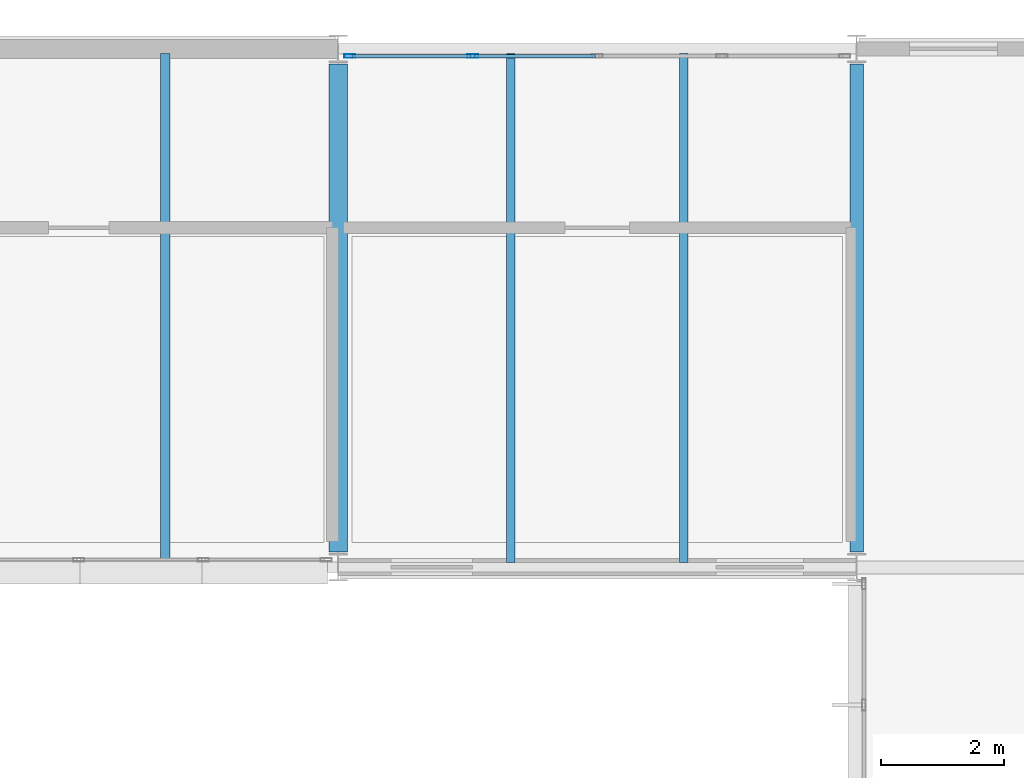
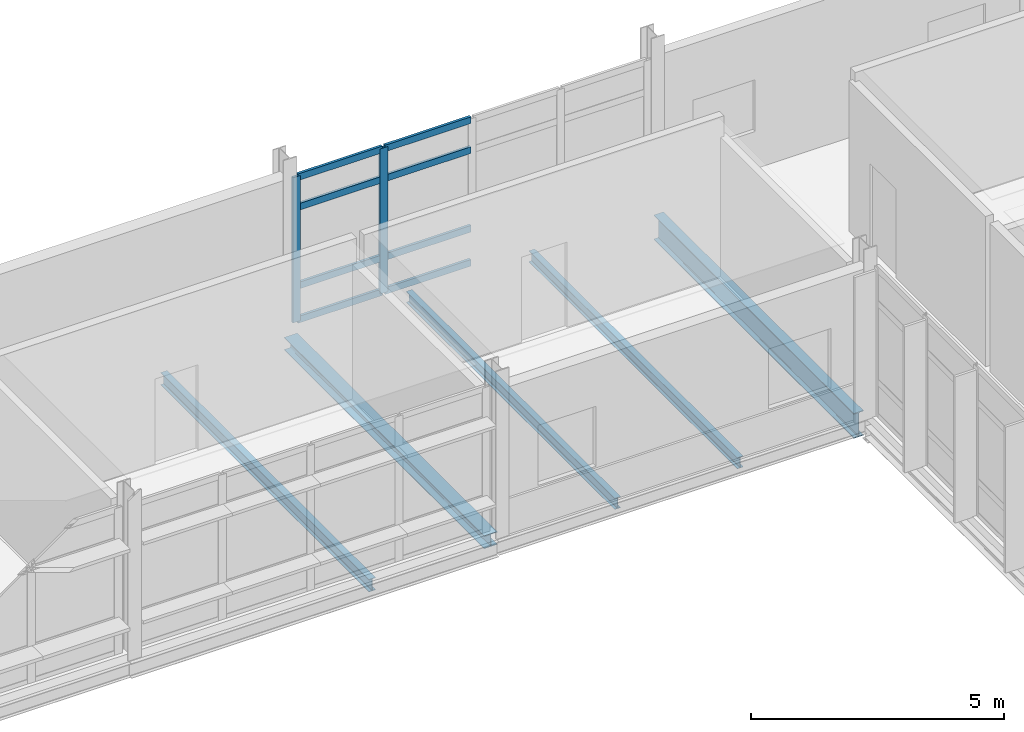
# One storey, part 69 of 131: 10 members, 5 beams, 1 element without a shape of its own.
"""IFC4 building model written with IfcOpenShell, lengths in metres."""

from ifc_helpers import new_model, si_unit, direction, frame, origin, origin_2d, place, context, subcontext, project, spatial, hollow_rectangle, i_section, extrude, material, material_profile, profile_set, type_object, element, aggregate, save


model = new_model("IFC4")

# Units and contexts
model_context = context("Model", 3, precision=1e-05, world=origin(), true_north=direction((0.0, 1.0)))
body_context = subcontext(model_context, "Body", "Model", "MODEL_VIEW")
ifc_project = project(units=[si_unit("LENGTHUNIT", "METRE"), si_unit("AREAUNIT", "SQUARE_METRE"), si_unit("VOLUMEUNIT", "CUBIC_METRE"), si_unit("PLANEANGLEUNIT", "RADIAN"), si_unit("MASSUNIT", "GRAM", prefix="KILO")], contexts=[model_context])

# Site, building, storey
site_placement = place(None, origin())
site = spatial("IfcSite", under=ifc_project, at=site_placement, CompositionType="ELEMENT")
building_placement = place(site_placement, origin())
building = spatial("IfcBuilding", under=site, at=building_placement, Name="Mersafa Astral City Hall", CompositionType="ELEMENT")
storey_placement = place(building_placement, frame((0.0, 0.0, 13.949951171875)))
storey = spatial("IfcBuildingStorey", under=building, at=storey_placement, Name="L03", CompositionType="ELEMENT", Elevation=13.949951171875)

# Curtain wall, members
ifc_material_1 = material(Name="Anodised bronze aluminium framing", Category="aluminium")
curtain_wall_type = type_object("IfcCurtainWallType", Name="ENV-CW-3", PredefinedType="USERDEFINED", material=ifc_material_1)
curtain_wall_placement = place(storey_placement, origin())
curtain_wall = element("IfcCurtainWall", 1, at=curtain_wall_placement, inside=storey, type_object=curtain_wall_type, Name="L03 Unitised solar curtain wall 170", ObjectType="UNITISED CURTAIN WALL", PredefinedType="USERDEFINED")
ifc_material_profile_1 = material_profile(ifc_material_1, hollow_rectangle(XDim=0.06005859375, YDim=0.179931640625, WallThickness=0.00390625, at=origin_2d()), Name="RHS 60x180x4")
ifc_profile_set_1 = profile_set([ifc_material_profile_1], Name="Anodised bronze aluminium framing")
member_type_1 = type_object("IfcMemberType", Name="ENV-CW-MUL-1", PredefinedType="MULLION", material=ifc_profile_set_1)
member_1_placement = place(storey_placement, frame((94.5810546875, 125.8798828125, -0.001953125), z_axis=(0.0, 0.0, 1.0), x_axis=(0.0, -1.0, 0.0)))
member_1 = element("IfcMember", 2, at=member_1_placement, type_object=member_type_1, Name="CW-3 mullion 4", PredefinedType="MULLION", context=body_context, shape_type="SweptSolid", body=[
    extrude(hollow_rectangle(XDim=0.06005859375, YDim=0.179931640625, WallThickness=0.00390625, at=origin_2d()), origin(), (0.0, 0.0, 1.0), 3.50390625),
])
member_2_placement = place(storey_placement, frame((92.592041015625, 125.8798828125, -0.001953125), z_axis=(0.0, 0.0, 1.0), x_axis=(0.0, -1.0, 0.0)))
member_2 = element("IfcMember", 3, at=member_2_placement, type_object=member_type_1, Name="CW-3 mullion 5", PredefinedType="MULLION", context=body_context, shape_type="SweptSolid", body=[
    extrude(hollow_rectangle(XDim=0.06005859375, YDim=0.179931640625, WallThickness=0.00390625, at=origin_2d()), origin(), (0.0, 0.0, 1.0), 3.50390625),
])
ifc_material_profile_2 = material_profile(ifc_material_1, hollow_rectangle(XDim=0.06005859375, YDim=0.159912109375, WallThickness=0.00390625, at=origin_2d()), Name="RHS 60x160x4")
ifc_profile_set_2 = profile_set([ifc_material_profile_2], Name="Anodised bronze aluminium framing")
member_type_2 = type_object("IfcMemberType", Name="ENV-CW-TRN-2", PredefinedType="USERDEFINED", material=ifc_profile_set_2)
member_3_placement = place(storey_placement, frame((96.570068359375, 125.8798828125, 0.028076171875), z_axis=(-1.0, 0.0, 0.0), x_axis=(0.0, -1.0, 0.0)))
member_3 = element("IfcMember", 4, at=member_3_placement, type_object=member_type_2, Name="CW-3 transom 3.1", ObjectType="TRANSOM", PredefinedType="USERDEFINED", context=body_context, shape_type="SweptSolid", body=[
    extrude(hollow_rectangle(XDim=0.06005859375, YDim=0.159912109375, WallThickness=0.00390625, at=origin_2d()), origin(), (0.0, 0.0, 1.0), 1.958984375),
])
member_4_placement = place(storey_placement, frame((96.570068359375, 125.8798828125, 0.85009765625), z_axis=(-1.0, 0.0, 0.0), x_axis=(0.0, -1.0, 0.0)))
member_4 = element("IfcMember", 5, at=member_4_placement, type_object=member_type_2, Name="CW-3 transom 3.2", ObjectType="TRANSOM", PredefinedType="USERDEFINED", context=body_context, shape_type="SweptSolid", body=[
    extrude(hollow_rectangle(XDim=0.06005859375, YDim=0.159912109375, WallThickness=0.00390625, at=origin_2d()), origin(), (0.0, 0.0, 1.0), 1.958984375),
])
member_5_placement = place(storey_placement, frame((96.570068359375, 125.8798828125, 2.75), z_axis=(-1.0, 0.0, 0.0), x_axis=(0.0, -1.0, 0.0)))
member_5 = element("IfcMember", 6, at=member_5_placement, type_object=member_type_2, Name="CW-3 transom 3.3", ObjectType="TRANSOM", PredefinedType="USERDEFINED", context=body_context, shape_type="SweptSolid", body=[
    extrude(hollow_rectangle(XDim=0.06005859375, YDim=0.159912109375, WallThickness=0.00390625, at=origin_2d()), origin(), (0.0, 0.0, 1.0), 1.958984375),
])
member_6_placement = place(storey_placement, frame((96.570068359375, 125.8798828125, 3.47216796875), z_axis=(-1.0, 0.0, 0.0), x_axis=(0.0, -1.0, 0.0)))
member_6 = element("IfcMember", 7, at=member_6_placement, type_object=member_type_2, Name="CW-3 transom 3.4", ObjectType="TRANSOM", PredefinedType="USERDEFINED", context=body_context, shape_type="SweptSolid", body=[
    extrude(hollow_rectangle(XDim=0.06005859375, YDim=0.159912109375, WallThickness=0.00390625, at=origin_2d()), origin(), (0.0, 0.0, 1.0), 1.958984375),
])
member_7_placement = place(storey_placement, frame((94.551025390625, 125.8798828125, 0.028076171875), z_axis=(-1.0, 0.0, 0.0), x_axis=(0.0, -1.0, 0.0)))
member_7 = element("IfcMember", 8, at=member_7_placement, type_object=member_type_2, Name="CW-3 transom 4.1", ObjectType="TRANSOM", PredefinedType="USERDEFINED", context=body_context, shape_type="SweptSolid", body=[
    extrude(hollow_rectangle(XDim=0.06005859375, YDim=0.159912109375, WallThickness=0.00390625, at=origin_2d()), origin(), (0.0, 0.0, 1.0), 1.928955078125),
])
member_8_placement = place(storey_placement, frame((94.551025390625, 125.8798828125, 0.85009765625), z_axis=(-1.0, 0.0, 0.0), x_axis=(0.0, -1.0, 0.0)))
member_8 = element("IfcMember", 9, at=member_8_placement, type_object=member_type_2, Name="CW-3 transom 4.2", ObjectType="TRANSOM", PredefinedType="USERDEFINED", context=body_context, shape_type="SweptSolid", body=[
    extrude(hollow_rectangle(XDim=0.06005859375, YDim=0.159912109375, WallThickness=0.00390625, at=origin_2d()), origin(), (0.0, 0.0, 1.0), 1.928955078125),
])
member_9_placement = place(storey_placement, frame((94.551025390625, 125.8798828125, 2.75), z_axis=(-1.0, 0.0, 0.0), x_axis=(0.0, -1.0, 0.0)))
member_9 = element("IfcMember", 10, at=member_9_placement, type_object=member_type_2, Name="CW-3 transom 4.3", ObjectType="TRANSOM", PredefinedType="USERDEFINED", context=body_context, shape_type="SweptSolid", body=[
    extrude(hollow_rectangle(XDim=0.06005859375, YDim=0.159912109375, WallThickness=0.00390625, at=origin_2d()), origin(), (0.0, 0.0, 1.0), 1.928955078125),
])
member_10_placement = place(storey_placement, frame((94.551025390625, 125.8798828125, 3.47216796875), z_axis=(-1.0, 0.0, 0.0), x_axis=(0.0, -1.0, 0.0)))
member_10 = element("IfcMember", 11, at=member_10_placement, type_object=member_type_2, Name="CW-3 transom 4.4", ObjectType="TRANSOM", PredefinedType="USERDEFINED", context=body_context, shape_type="SweptSolid", body=[
    extrude(hollow_rectangle(XDim=0.06005859375, YDim=0.159912109375, WallThickness=0.00390625, at=origin_2d()), origin(), (0.0, 0.0, 1.0), 1.928955078125),
])
aggregate(curtain_wall, [member_1, member_2, member_3, member_4, member_5, member_6, member_7, member_8, member_9, member_10])

# Beams
ifc_material_2 = material(Name="Steel S355", Category="steel")
ifc_material_profile_3 = material_profile(ifc_material_2, i_section(OverallWidth=0.300048828125, OverallDepth=0.31005859375, WebThickness=0.009033203125, FlangeThickness=0.015380859375, FilletRadius=0.027099609375, at=origin_2d()), Name="HEA 320")
ifc_profile_set_3 = profile_set([ifc_material_profile_3], Name="Steel S355")
beam_type_1 = type_object("IfcBeamType", Name="STR-BM-HEA320", PredefinedType="BEAM", material=ifc_profile_set_3)
beam_1_placement = place(storey_placement, frame((92.39990234375, 117.844970703125, -0.35498046875), z_axis=(0.0, 1.0, 0.0), x_axis=(-1.0, 0.0, 0.0)))
element("IfcBeam", 12, at=beam_1_placement, inside=storey, type_object=beam_type_1, Name="L03 Primary girder Y 11-14", PredefinedType="BEAM", context=body_context, shape_type="SweptSolid", body=[
    extrude(i_section(OverallWidth=0.300048828125, OverallDepth=0.31005859375, WebThickness=0.009033203125, FlangeThickness=0.015380859375, FilletRadius=0.027099609375, at=origin_2d()), origin(), (0.0, 0.0, 1.0), 7.909912109375),
])
ifc_material_profile_4 = material_profile(ifc_material_2, i_section(OverallWidth=0.219970703125, OverallDepth=0.60009765625, WebThickness=0.011962890625, FlangeThickness=0.01904296875, FilletRadius=0.02392578125, at=origin_2d()), Name="IPE 600")
ifc_profile_set_4 = profile_set([ifc_material_profile_4], Name="Steel S355")
beam_type_2 = type_object("IfcBeamType", Name="STR-BM-IPE600", PredefinedType="BEAM", material=ifc_profile_set_4)
beam_2_placement = place(storey_placement, frame((100.800048828125, 117.844970703125, -0.5), z_axis=(0.0, 1.0, 0.0), x_axis=(-1.0, 0.0, 0.0)))
element("IfcBeam", 13, at=beam_2_placement, inside=storey, type_object=beam_type_2, Name="L03 Primary girder Y 12-14", PredefinedType="BEAM", context=body_context, shape_type="SweptSolid", body=[
    extrude(i_section(OverallWidth=0.219970703125, OverallDepth=0.60009765625, WebThickness=0.011962890625, FlangeThickness=0.01904296875, FilletRadius=0.02392578125, at=origin_2d()), origin(), (0.0, 0.0, 1.0), 7.909912109375),
])
ifc_material_profile_5 = material_profile(ifc_material_2, i_section(OverallWidth=0.135009765625, OverallDepth=0.27001953125, WebThickness=0.006591796875, FlangeThickness=0.01025390625, FilletRadius=0.014892578125, at=origin_2d()), Name="IPE 270")
ifc_profile_set_5 = profile_set([ifc_material_profile_5], Name="Steel S355")
beam_type_3 = type_object("IfcBeamType", Name="STR-BM-JOIST-IPE270", PredefinedType="JOIST", material=ifc_profile_set_5)
for number, where, z_axis, x_axis, name in (
    (14, (95.199951171875, 117.675048828125, -0.3349609375), (0.0, 1.0, 0.0), (-1.0, 0.0, 0.0), "L03 Composite secondary floor joist 592"),
    (15, (98.0, 117.675048828125, -0.3349609375), (0.0, 1.0, 0.0), (-1.0, 0.0, 0.0), "L03 Composite secondary floor joist 593"),
):
    element("IfcBeam", number, at=place(storey_placement, frame(where, z_axis=z_axis, x_axis=x_axis)), inside=storey, type_object=beam_type_3, Name=name, PredefinedType="JOIST", context=body_context, shape_type="SweptSolid", body=[
        extrude(i_section(OverallWidth=0.135009765625, OverallDepth=0.27001953125, WebThickness=0.006591796875, FlangeThickness=0.01025390625, FilletRadius=0.014892578125, at=origin_2d()), origin(), (0.0, 0.0, 1.0), 8.244873046875),
    ])
ifc_material_profile_6 = material_profile(ifc_material_2, i_section(OverallWidth=0.14990234375, OverallDepth=0.300048828125, WebThickness=0.007080078125, FlangeThickness=0.0107421875, FilletRadius=0.014892578125, at=origin_2d()), Name="IPE 300")
ifc_profile_set_6 = profile_set([ifc_material_profile_6], Name="Steel S355")
beam_type_4 = type_object("IfcBeamType", Name="STR-BM-JOIST-IPE300", PredefinedType="JOIST", material=ifc_profile_set_6)
beam_3_placement = place(storey_placement, frame((89.60009765625, 117.679931640625, -0.349853515625), z_axis=(0.0, 1.0, 0.0), x_axis=(-1.0, 0.0, 0.0)))
element("IfcBeam", 16, at=beam_3_placement, inside=storey, type_object=beam_type_4, Name="L03 Composite secondary floor joist 581", PredefinedType="JOIST", context=body_context, shape_type="SweptSolid", body=[
    extrude(i_section(OverallWidth=0.14990234375, OverallDepth=0.300048828125, WebThickness=0.007080078125, FlangeThickness=0.0107421875, FilletRadius=0.014892578125, at=origin_2d()), origin(), (0.0, 0.0, 1.0), 8.2451171875),
])

save(model, "model.ifc")
